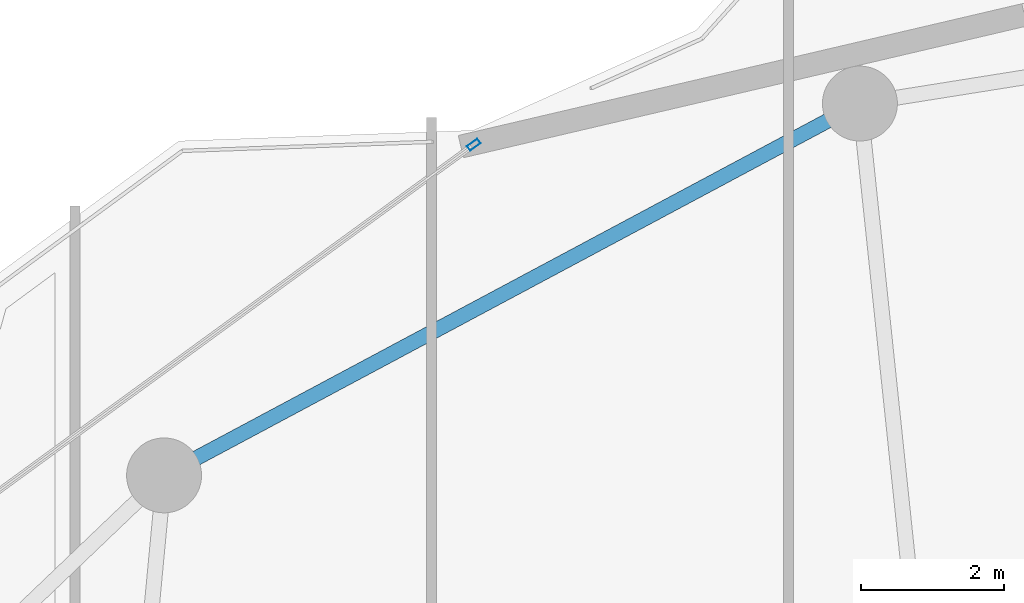
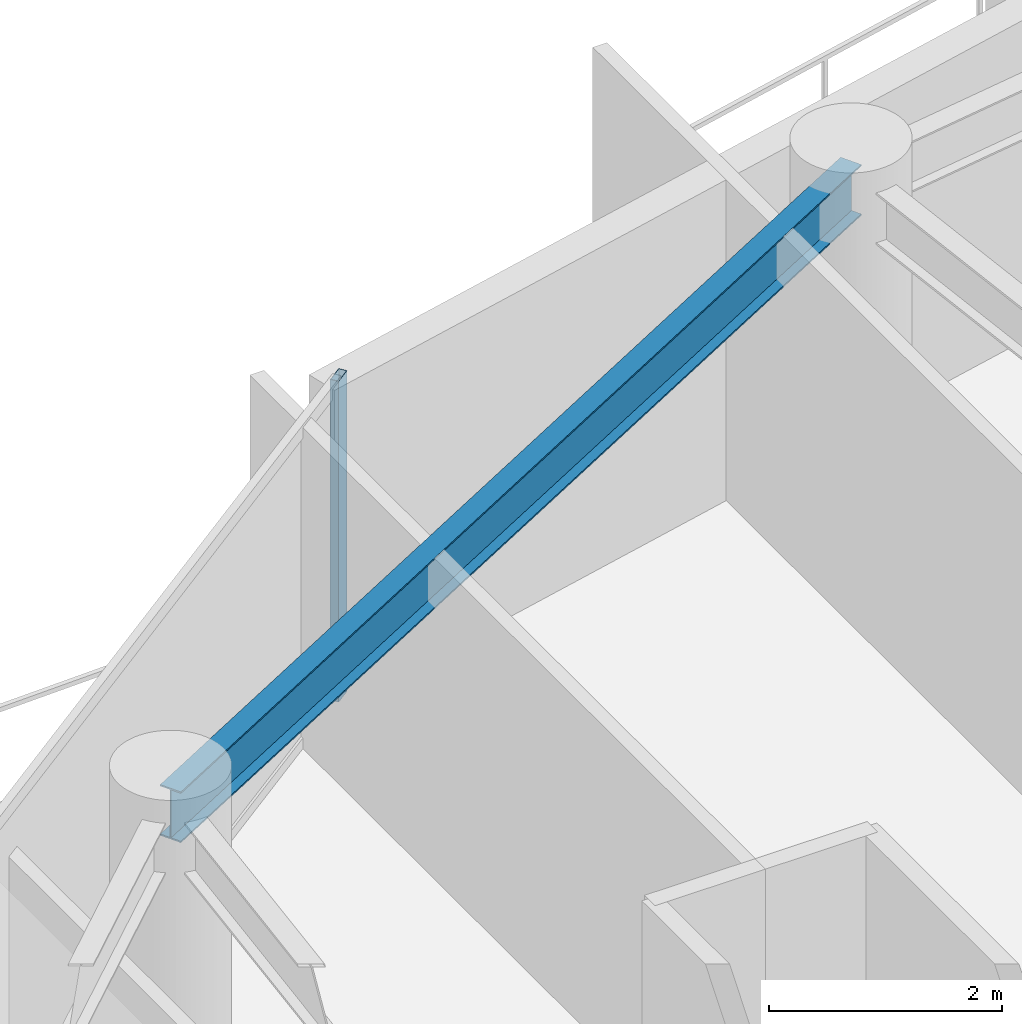
# One storey, part 18 of 31: 1 beam, 1 member, 1 element without a shape of its own.
"""IFC4 building model written with IfcOpenShell, lengths in metres."""

from ifc_helpers import new_model, si_unit, direction, frame, origin, origin_2d, place, context, subcontext, project, spatial, hollow_rectangle, i_section, extrude, material, layer, layer_set, material_profile, profile_set, type_object, element, aggregate, save


model = new_model("IFC4")

# Units and contexts
model_context = context("Model", 3, precision=1e-05, world=origin(), true_north=direction((0.0, 1.0)))
body_context = subcontext(model_context, "Body", "Model", "MODEL_VIEW")
ifc_project = project(units=[si_unit("LENGTHUNIT", "METRE"), si_unit("AREAUNIT", "SQUARE_METRE"), si_unit("VOLUMEUNIT", "CUBIC_METRE"), si_unit("PLANEANGLEUNIT", "RADIAN"), si_unit("MASSUNIT", "GRAM", prefix="KILO")], contexts=[model_context])

# Site, building, storey
site_placement = place(None, origin())
site = spatial("IfcSite", under=ifc_project, at=site_placement, CompositionType="ELEMENT")
building_placement = place(site_placement, origin())
building = spatial("IfcBuilding", under=site, at=building_placement, Name="Kazevale Care Tower and Concert Hall", CompositionType="ELEMENT")
storey_placement = place(building_placement, frame((0.0, 0.0, 235.199951171875)))
storey = spatial("IfcBuildingStorey", under=building, at=storey_placement, Name="L62", CompositionType="ELEMENT", Elevation=235.199951171875)

# Curtain wall, member
ifc_material_1 = material(Name="Aluminium 6063-T6 and Low-E Glass", Category="aluminium")
ifc_layer = layer(ifc_material_1, 0.179931640625)
ifc_layer_set = layer_set([ifc_layer], Name="Aluminium 6063-T6 and Low-E Glass")
curtain_wall_type = type_object("IfcCurtainWallType", Name="Waist & Upper Residential Curtain Wall CW-4", PredefinedType="NOTDEFINED", material=ifc_layer_set)
curtain_wall_placement = place(storey_placement, origin())
curtain_wall = element("IfcCurtainWall", 1, at=curtain_wall_placement, inside=storey, type_object=curtain_wall_type, Name="cw:L62:f14", PredefinedType="NOTDEFINED")
ifc_material_2 = material(Name="Aluminium 6063-T6", Category="aluminium")
ifc_material_profile_1 = material_profile(ifc_material_2, hollow_rectangle(XDim=0.080078125, YDim=0.179931640625, WallThickness=0.0048828125, at=origin_2d()), Name="ALU80x180x5")
ifc_profile_set_1 = profile_set([ifc_material_profile_1], Name="Aluminium 6063-T6")
member_type = type_object("IfcMemberType", Name="CW-4 Mullion ALU80x180x5", PredefinedType="MULLION", material=ifc_profile_set_1)
member_placement = place(storey_placement, frame((28.090576171875, 59.6435546875, 0.0), z_axis=(0.0, 0.0, 1.0), x_axis=(-0.588910374145, 0.808198348937, 0.0)))
member = element("IfcMember", 2, at=member_placement, type_object=member_type, Name="CW-4 mullion 2", PredefinedType="MULLION", context=body_context, shape_type="SweptSolid", body=[
    extrude(hollow_rectangle(XDim=0.080078125, YDim=0.179931640625, WallThickness=0.0048828125, at=origin_2d()), origin(), (0.0, 0.0, 1.0), 3.360107421875),
])
aggregate(curtain_wall, [member])

# Beam
ifc_material_3 = material(Name="Steel ASTM A572 Gr 50", Category="steel")
ifc_material_profile_2 = material_profile(ifc_material_3, i_section(OverallWidth=0.208984375, OverallDepth=0.532958984375, WebThickness=0.01025390625, FlangeThickness=0.015625, at=origin_2d()), Name="W530x92")
ifc_profile_set_2 = profile_set([ifc_material_profile_2], Name="Steel ASTM A572 Gr 50")
beam_type = type_object("IfcBeamType", Name="Upper Ring Beam W530x92", PredefinedType="BEAM", material=ifc_profile_set_2)
beam_placement = place(storey_placement, frame((33.5, 60.219970703125, 3.093505859375), z_axis=(-0.881978519833, -0.471289603697, 0.0), x_axis=(0.471289603697, -0.881978519833, 0.0)))
element("IfcBeam", 3, at=beam_placement, inside=storey, type_object=beam_type, Name="beam:L62:ring:06", PredefinedType="BEAM", context=body_context, shape_type="SweptSolid", body=[
    extrude(i_section(OverallWidth=0.208984375, OverallDepth=0.532958984375, WebThickness=0.01025390625, FlangeThickness=0.015625, at=origin_2d()), origin(), (0.0, 0.0, 1.0), 11.0546875),
])

save(model, "model.ifc")
